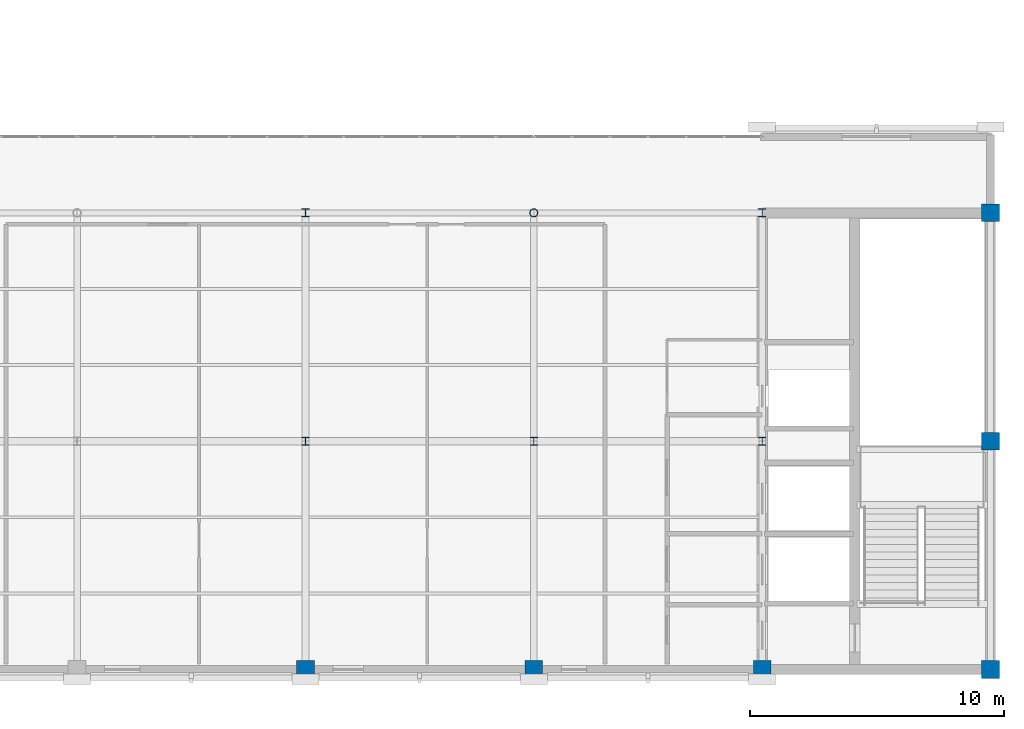
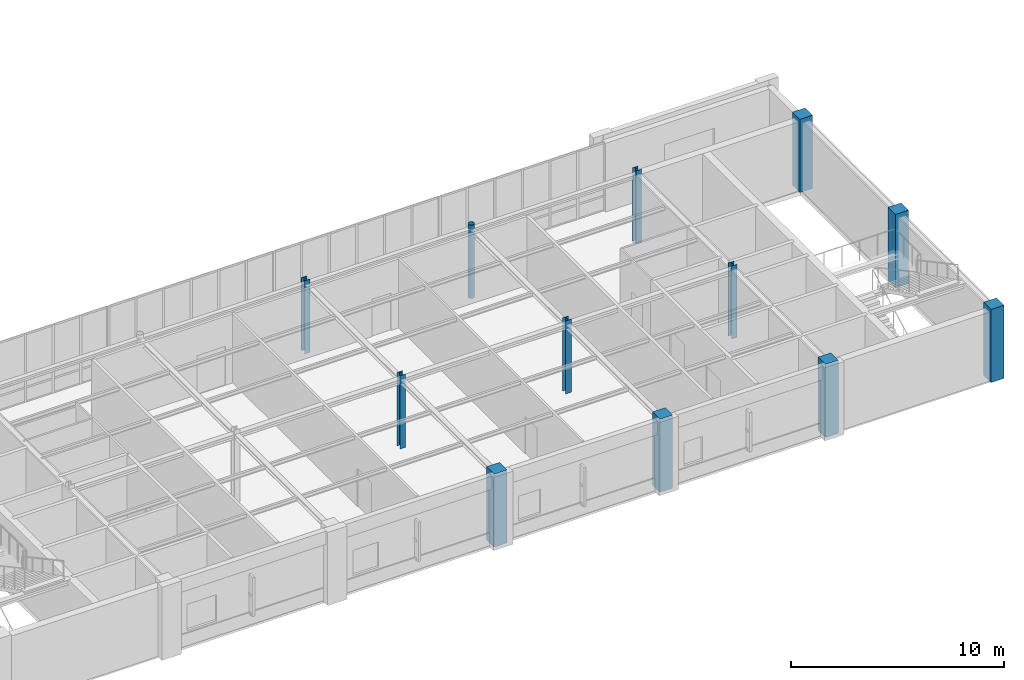
# One storey, part 2 of 36: 12 columns.
"""IFC4 building model written with IfcOpenShell, lengths in metres."""

from ifc_helpers import new_model, si_unit, direction, frame, origin, origin_2d, place, context, subcontext, project, spatial, rectangle, hollow_circle, i_section, extrude, material, material_profile, profile_set, type_object, element, save


model = new_model("IFC4")

# Units and contexts
model_context = context("Model", 3, precision=1e-05, world=origin(), true_north=direction((0.0, 1.0)))
body_context = subcontext(model_context, "Body", "Model", "MODEL_VIEW")
ifc_project = project(units=[si_unit("LENGTHUNIT", "METRE"), si_unit("AREAUNIT", "SQUARE_METRE"), si_unit("VOLUMEUNIT", "CUBIC_METRE"), si_unit("PLANEANGLEUNIT", "RADIAN"), si_unit("MASSUNIT", "GRAM", prefix="KILO")], contexts=[model_context])

# Site, building, storey
site_placement = place(None, origin())
site = spatial("IfcSite", under=ifc_project, at=site_placement, CompositionType="ELEMENT")
building_placement = place(site_placement, origin())
building = spatial("IfcBuilding", under=site, at=building_placement, Name="Lykobir Media Centre", CompositionType="ELEMENT")
storey_placement = place(building_placement, frame((0.0, 0.0, 27.60009765625)))
storey = spatial("IfcBuildingStorey", under=building, at=storey_placement, Name="L06", CompositionType="ELEMENT", Elevation=27.60009765625)

# Columns
ifc_material_1 = material(Name="Concrete C40/50", Category="concrete")
ifc_material_profile_1 = material_profile(ifc_material_1, rectangle(XDim=0.699951171875, YDim=0.699951171875, at=origin_2d()), Name="RC 700x700")
ifc_profile_set_1 = profile_set([ifc_material_profile_1], Name="Concrete C40/50")
column_type_1 = type_object("IfcColumnType", Name="RC-C700-E", PredefinedType="COLUMN", material=ifc_profile_set_1)
for number, where, z_axis, x_axis, name in (
    (1, (54.0, 0.0, 0.0), (0.0, 0.0, 1.0), (1.0, 0.0, 0.0), "Column COL-L06-0540-0000"),
    (2, (63.0, 0.0, 0.0), (0.0, 0.0, 1.0), (1.0, 0.0, 0.0), "Column COL-L06-0630-0000"),
    (3, (72.0, 0.0, 0.0), (0.0, 0.0, 1.0), (1.0, 0.0, 0.0), "Column COL-L06-0720-0000"),
    (4, (81.0, 0.0, 0.0), (0.0, 0.0, 1.0), (1.0, 0.0, 0.0), "Column COL-L06-0810-0000"),
    (5, (81.0, 9.0, 0.0), (0.0, 0.0, 1.0), (1.0, 0.0, 0.0), "Column COL-L06-0810-0090"),
    (6, (81.0, 18.0, 0.0), (0.0, 0.0, 1.0), (1.0, 0.0, 0.0), "Column COL-L06-0810-0180"),
):
    element("IfcColumn", number, at=place(storey_placement, frame(where, z_axis=z_axis, x_axis=x_axis)), inside=storey, type_object=column_type_1, Name=name, PredefinedType="COLUMN", context=body_context, shape_type="SweptSolid", body=[
        extrude(rectangle(XDim=0.699951171875, YDim=0.699951171875, at=origin_2d()), origin(), (0.0, 0.0, 1.0), 4.199951171875),
    ])
ifc_material_2 = material(Name="Steel S355", Category="steel")
ifc_material_profile_2 = material_profile(ifc_material_2, hollow_circle(Radius=0.161865234375, WallThickness=0.01611328125, at=origin_2d()), Name="CHS 323.9x16.0")
ifc_profile_set_2 = profile_set([ifc_material_profile_2], Name="Steel S355")
column_type_2 = type_object("IfcColumnType", Name="SC-CHS324", PredefinedType="COLUMN", material=ifc_profile_set_2)
column_1_placement = place(storey_placement, frame((63.0, 18.0, 0.0), z_axis=(0.0, 0.0, 1.0), x_axis=(1.0, 0.0, 0.0)))
element("IfcColumn", 7, at=column_1_placement, inside=storey, type_object=column_type_2, Name="Column COL-L06-0630-0180", PredefinedType="COLUMN", context=body_context, shape_type="SweptSolid", body=[
    extrude(hollow_circle(Radius=0.161865234375, WallThickness=0.01611328125, at=origin_2d()), origin(), (0.0, 0.0, 1.0), 4.199951171875),
])
ifc_material_profile_3 = material_profile(ifc_material_2, i_section(OverallWidth=0.300048828125, OverallDepth=0.300048828125, WebThickness=0.010986328125, FlangeThickness=0.01904296875, at=origin_2d()), Name="HEB 300")
ifc_profile_set_3 = profile_set([ifc_material_profile_3], Name="Steel S355")
column_type_3 = type_object("IfcColumnType", Name="SC-HEB300", PredefinedType="COLUMN", material=ifc_profile_set_3)
column_2_placement = place(storey_placement, frame((63.0, 9.0, 0.0), z_axis=(0.0, 0.0, 1.0), x_axis=(1.0, 0.0, 0.0)))
element("IfcColumn", 8, at=column_2_placement, inside=storey, type_object=column_type_3, Name="Column COL-L06-0630-0090", PredefinedType="COLUMN", context=body_context, shape_type="SweptSolid", body=[
    extrude(i_section(OverallWidth=0.300048828125, OverallDepth=0.300048828125, WebThickness=0.010986328125, FlangeThickness=0.01904296875, at=origin_2d()), origin(), (0.0, 0.0, 1.0), 4.199951171875),
])
ifc_material_profile_4 = material_profile(ifc_material_2, i_section(OverallWidth=0.300048828125, OverallDepth=0.320068359375, WebThickness=0.011474609375, FlangeThickness=0.0205078125, at=origin_2d()), Name="HEB 320")
ifc_profile_set_4 = profile_set([ifc_material_profile_4], Name="Steel S355")
column_type_4 = type_object("IfcColumnType", Name="SC-HEB320", PredefinedType="COLUMN", material=ifc_profile_set_4)
for number, where, z_axis, x_axis, name in (
    (9, (54.0, 9.0, 0.0), (0.0, 0.0, 1.0), (1.0, 0.0, 0.0), "Column COL-L06-0540-0090"),
    (10, (54.0, 18.0, 0.0), (0.0, 0.0, 1.0), (1.0, 0.0, 0.0), "Column COL-L06-0540-0180"),
    (11, (72.0, 9.0, 0.0), (0.0, 0.0, 1.0), (1.0, 0.0, 0.0), "Column COL-L06-0720-0090"),
    (12, (72.0, 18.0, 0.0), (0.0, 0.0, 1.0), (1.0, 0.0, 0.0), "Column COL-L06-0720-0180"),
):
    element("IfcColumn", number, at=place(storey_placement, frame(where, z_axis=z_axis, x_axis=x_axis)), inside=storey, type_object=column_type_4, Name=name, PredefinedType="COLUMN", context=body_context, shape_type="SweptSolid", body=[
        extrude(i_section(OverallWidth=0.300048828125, OverallDepth=0.320068359375, WebThickness=0.011474609375, FlangeThickness=0.0205078125, at=origin_2d()), origin(), (0.0, 0.0, 1.0), 4.199951171875),
    ])

save(model, "model.ifc")
